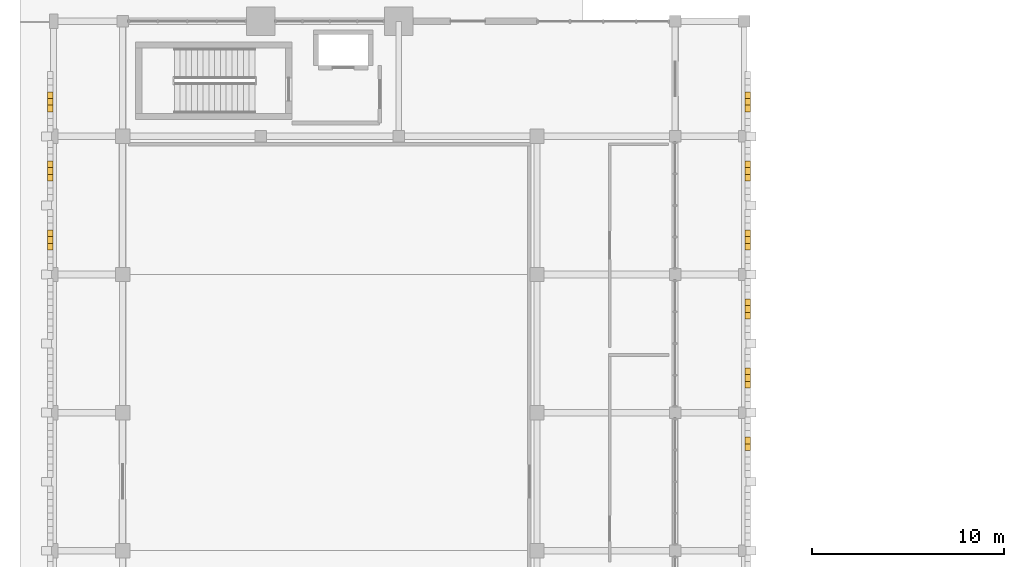
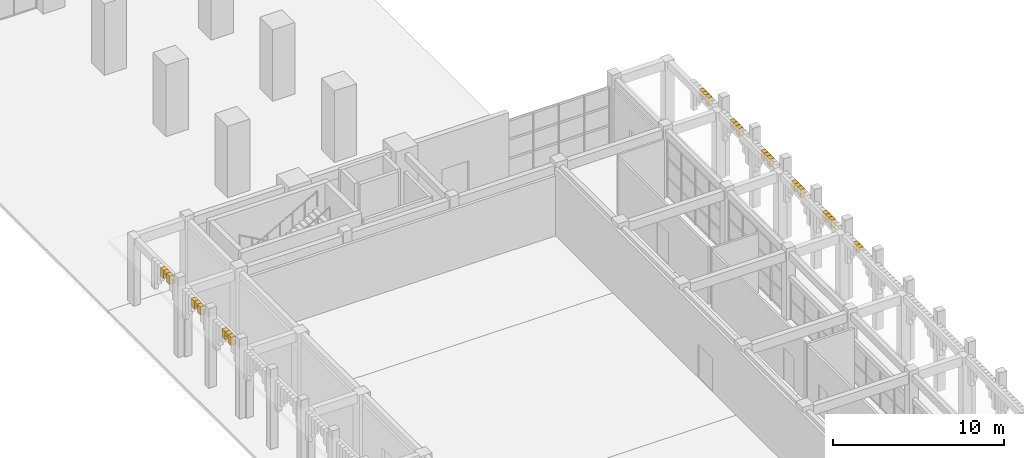
# One storey, part 65 of 72: 26 coverings.
"""IFC4 building model written with IfcOpenShell, lengths in metres."""

from ifc_helpers import new_model, si_unit, direction, frame, origin, origin_2d, place, context, subcontext, project, spatial, rectangle, extrude, material, layer, layer_set, type_object, element, save


model = new_model("IFC4")

# Units and contexts
model_context = context("Model", 3, precision=1e-05, world=origin(), true_north=direction((0.0, 1.0)))
body_context = subcontext(model_context, "Body", "Model", "MODEL_VIEW")
ifc_project = project(units=[si_unit("LENGTHUNIT", "METRE"), si_unit("AREAUNIT", "SQUARE_METRE"), si_unit("VOLUMEUNIT", "CUBIC_METRE"), si_unit("PLANEANGLEUNIT", "RADIAN"), si_unit("MASSUNIT", "GRAM", prefix="KILO")], contexts=[model_context])

# Site, building, storey
site_placement = place(None, origin())
site = spatial("IfcSite", under=ifc_project, at=site_placement, CompositionType="ELEMENT")
building_placement = place(site_placement, origin())
building = spatial("IfcBuilding", under=site, at=building_placement, Name="Nzembalo Square Collegiate School", CompositionType="ELEMENT")
storey_placement = place(building_placement, origin())
storey = spatial("IfcBuildingStorey", under=building, at=storey_placement, Name="L00", CompositionType="ELEMENT", Elevation=0.0)

# Coverings
ifc_material = material(Name="Precast concrete C40/50 arch voussoir", Category="concrete")
ifc_layer = layer(ifc_material, 0.1201171875, Name="Precast concrete C40/50 arch voussoir")
ifc_layer_set = layer_set([ifc_layer], Name="Precast concrete C40/50 arch voussoir")
covering_type = type_object("IfcCoveringType", Name="AR01", PredefinedType="CLADDING", material=ifc_layer_set)
covering_1_placement = place(storey_placement, frame((4.6201171875, 38.64892578125, 4.2109375), z_axis=(0.0, 0.0, 1.0), x_axis=(1.0, 0.0, 0.0)))
element("IfcCovering", 1, at=covering_1_placement, inside=storey, type_object=covering_type, Name="Gothic pointed arch voussoir AR01-010-3", PredefinedType="CLADDING", context=body_context, shape_type="SweptSolid", body=[
    extrude(rectangle(XDim=0.280029296875, YDim=0.35107421875, at=origin_2d()), origin(), (0.0, 0.0, 1.0), 0.589111328125),
])
covering_2_placement = place(storey_placement, frame((4.6201171875, 39.0, 4.579833984375), z_axis=(0.0, 0.0, 1.0), x_axis=(1.0, 0.0, 0.0)))
element("IfcCovering", 2, at=covering_2_placement, inside=storey, type_object=covering_type, Name="Gothic pointed arch voussoir AR01-010-4", PredefinedType="CLADDING", context=body_context, shape_type="SweptSolid", body=[
    extrude(rectangle(XDim=0.280029296875, YDim=0.35107421875, at=origin_2d()), origin(), (0.0, 0.0, 1.0), 0.22021484375),
])
for number, where, z_axis, x_axis, name in (
    (3, (4.6201171875, 39.35107421875, 4.2109375), (0.0, 0.0, 1.0), (1.0, 0.0, 0.0), "Gothic pointed arch voussoir AR01-010-5"),
    (4, (4.6201171875, 42.248779296875, 4.2109375), (0.0, 0.0, 1.0), (1.0, 0.0, 0.0), "Gothic pointed arch voussoir AR01-011-3"),
):
    element("IfcCovering", number, at=place(storey_placement, frame(where, z_axis=z_axis, x_axis=x_axis)), inside=storey, type_object=covering_type, Name=name, PredefinedType="CLADDING", context=body_context, shape_type="SweptSolid", body=[
        extrude(rectangle(XDim=0.280029296875, YDim=0.35107421875, at=origin_2d()), origin(), (0.0, 0.0, 1.0), 0.589111328125),
    ])
covering_3_placement = place(storey_placement, frame((4.6201171875, 42.60009765625, 4.579833984375), z_axis=(0.0, 0.0, 1.0), x_axis=(1.0, 0.0, 0.0)))
element("IfcCovering", 5, at=covering_3_placement, inside=storey, type_object=covering_type, Name="Gothic pointed arch voussoir AR01-011-4", PredefinedType="CLADDING", context=body_context, shape_type="SweptSolid", body=[
    extrude(rectangle(XDim=0.280029296875, YDim=0.35107421875, at=origin_2d()), origin(), (0.0, 0.0, 1.0), 0.22021484375),
])
for number, where, z_axis, x_axis, name in (
    (6, (4.6201171875, 42.951171875, 4.2109375), (0.0, 0.0, 1.0), (1.0, 0.0, 0.0), "Gothic pointed arch voussoir AR01-011-5"),
    (7, (4.6201171875, 45.848876953125, 4.2109375), (0.0, 0.0, 1.0), (1.0, 0.0, 0.0), "Gothic pointed arch voussoir AR01-012-3"),
):
    element("IfcCovering", number, at=place(storey_placement, frame(where, z_axis=z_axis, x_axis=x_axis)), inside=storey, type_object=covering_type, Name=name, PredefinedType="CLADDING", context=body_context, shape_type="SweptSolid", body=[
        extrude(rectangle(XDim=0.280029296875, YDim=0.35107421875, at=origin_2d()), origin(), (0.0, 0.0, 1.0), 0.589111328125),
    ])
covering_4_placement = place(storey_placement, frame((4.6201171875, 46.199951171875, 4.579833984375), z_axis=(0.0, 0.0, 1.0), x_axis=(1.0, 0.0, 0.0)))
element("IfcCovering", 8, at=covering_4_placement, inside=storey, type_object=covering_type, Name="Gothic pointed arch voussoir AR01-012-4", PredefinedType="CLADDING", context=body_context, shape_type="SweptSolid", body=[
    extrude(rectangle(XDim=0.280029296875, YDim=0.35107421875, at=origin_2d()), origin(), (0.0, 0.0, 1.0), 0.22021484375),
])
covering_5_placement = place(storey_placement, frame((4.6201171875, 46.551025390625, 4.2109375), z_axis=(0.0, 0.0, 1.0), x_axis=(1.0, 0.0, 0.0)))
element("IfcCovering", 9, at=covering_5_placement, inside=storey, type_object=covering_type, Name="Gothic pointed arch voussoir AR01-012-5", PredefinedType="CLADDING", context=body_context, shape_type="SweptSolid", body=[
    extrude(rectangle(XDim=0.280029296875, YDim=0.35107421875, at=origin_2d()), origin(), (0.0, 0.0, 1.0), 0.589111328125),
])
covering_6_placement = place(storey_placement, frame((40.97998046875, 28.199951171875, 4.579833984375), z_axis=(0.0, 0.0, 1.0), x_axis=(1.0, 0.0, 0.0)))
element("IfcCovering", 10, at=covering_6_placement, inside=storey, type_object=covering_type, Name="Gothic pointed arch voussoir AR01-036-4", PredefinedType="CLADDING", context=body_context, shape_type="SweptSolid", body=[
    extrude(rectangle(XDim=0.280029296875, YDim=0.35107421875, at=origin_2d()), origin(), (0.0, 0.0, 1.0), 0.22021484375),
])
for number, where, z_axis, x_axis, name in (
    (11, (40.97998046875, 28.551025390625, 4.2109375), (0.0, 0.0, 1.0), (1.0, 0.0, 0.0), "Gothic pointed arch voussoir AR01-036-5"),
    (12, (40.97998046875, 31.448974609375, 4.2109375), (0.0, 0.0, 1.0), (1.0, 0.0, 0.0), "Gothic pointed arch voussoir AR01-037-3"),
):
    element("IfcCovering", number, at=place(storey_placement, frame(where, z_axis=z_axis, x_axis=x_axis)), inside=storey, type_object=covering_type, Name=name, PredefinedType="CLADDING", context=body_context, shape_type="SweptSolid", body=[
        extrude(rectangle(XDim=0.280029296875, YDim=0.35107421875, at=origin_2d()), origin(), (0.0, 0.0, 1.0), 0.589111328125),
    ])
covering_7_placement = place(storey_placement, frame((40.97998046875, 31.800048828125, 4.579833984375), z_axis=(0.0, 0.0, 1.0), x_axis=(1.0, 0.0, 0.0)))
element("IfcCovering", 13, at=covering_7_placement, inside=storey, type_object=covering_type, Name="Gothic pointed arch voussoir AR01-037-4", PredefinedType="CLADDING", context=body_context, shape_type="SweptSolid", body=[
    extrude(rectangle(XDim=0.280029296875, YDim=0.35107421875, at=origin_2d()), origin(), (0.0, 0.0, 1.0), 0.22021484375),
])
for number, where, z_axis, x_axis, name in (
    (14, (40.97998046875, 32.151123046875, 4.2109375), (0.0, 0.0, 1.0), (1.0, 0.0, 0.0), "Gothic pointed arch voussoir AR01-037-5"),
    (15, (40.97998046875, 35.048828125, 4.2109375), (0.0, 0.0, 1.0), (1.0, 0.0, 0.0), "Gothic pointed arch voussoir AR01-038-3"),
):
    element("IfcCovering", number, at=place(storey_placement, frame(where, z_axis=z_axis, x_axis=x_axis)), inside=storey, type_object=covering_type, Name=name, PredefinedType="CLADDING", context=body_context, shape_type="SweptSolid", body=[
        extrude(rectangle(XDim=0.280029296875, YDim=0.35107421875, at=origin_2d()), origin(), (0.0, 0.0, 1.0), 0.589111328125),
    ])
covering_8_placement = place(storey_placement, frame((40.97998046875, 35.39990234375, 4.579833984375), z_axis=(0.0, 0.0, 1.0), x_axis=(1.0, 0.0, 0.0)))
element("IfcCovering", 16, at=covering_8_placement, inside=storey, type_object=covering_type, Name="Gothic pointed arch voussoir AR01-038-4", PredefinedType="CLADDING", context=body_context, shape_type="SweptSolid", body=[
    extrude(rectangle(XDim=0.280029296875, YDim=0.35107421875, at=origin_2d()), origin(), (0.0, 0.0, 1.0), 0.22021484375),
])
for number, where, z_axis, x_axis, name in (
    (17, (40.97998046875, 35.751220703125, 4.2109375), (0.0, 0.0, 1.0), (1.0, 0.0, 0.0), "Gothic pointed arch voussoir AR01-038-5"),
    (18, (40.97998046875, 38.64892578125, 4.2109375), (0.0, 0.0, 1.0), (1.0, 0.0, 0.0), "Gothic pointed arch voussoir AR01-039-3"),
):
    element("IfcCovering", number, at=place(storey_placement, frame(where, z_axis=z_axis, x_axis=x_axis)), inside=storey, type_object=covering_type, Name=name, PredefinedType="CLADDING", context=body_context, shape_type="SweptSolid", body=[
        extrude(rectangle(XDim=0.280029296875, YDim=0.35107421875, at=origin_2d()), origin(), (0.0, 0.0, 1.0), 0.589111328125),
    ])
covering_9_placement = place(storey_placement, frame((40.97998046875, 39.0, 4.579833984375), z_axis=(0.0, 0.0, 1.0), x_axis=(1.0, 0.0, 0.0)))
element("IfcCovering", 19, at=covering_9_placement, inside=storey, type_object=covering_type, Name="Gothic pointed arch voussoir AR01-039-4", PredefinedType="CLADDING", context=body_context, shape_type="SweptSolid", body=[
    extrude(rectangle(XDim=0.280029296875, YDim=0.35107421875, at=origin_2d()), origin(), (0.0, 0.0, 1.0), 0.22021484375),
])
for number, where, z_axis, x_axis, name in (
    (20, (40.97998046875, 39.35107421875, 4.2109375), (0.0, 0.0, 1.0), (1.0, 0.0, 0.0), "Gothic pointed arch voussoir AR01-039-5"),
    (21, (40.97998046875, 42.248779296875, 4.2109375), (0.0, 0.0, 1.0), (1.0, 0.0, 0.0), "Gothic pointed arch voussoir AR01-040-3"),
):
    element("IfcCovering", number, at=place(storey_placement, frame(where, z_axis=z_axis, x_axis=x_axis)), inside=storey, type_object=covering_type, Name=name, PredefinedType="CLADDING", context=body_context, shape_type="SweptSolid", body=[
        extrude(rectangle(XDim=0.280029296875, YDim=0.35107421875, at=origin_2d()), origin(), (0.0, 0.0, 1.0), 0.589111328125),
    ])
covering_10_placement = place(storey_placement, frame((40.97998046875, 42.60009765625, 4.579833984375), z_axis=(0.0, 0.0, 1.0), x_axis=(1.0, 0.0, 0.0)))
element("IfcCovering", 22, at=covering_10_placement, inside=storey, type_object=covering_type, Name="Gothic pointed arch voussoir AR01-040-4", PredefinedType="CLADDING", context=body_context, shape_type="SweptSolid", body=[
    extrude(rectangle(XDim=0.280029296875, YDim=0.35107421875, at=origin_2d()), origin(), (0.0, 0.0, 1.0), 0.22021484375),
])
for number, where, z_axis, x_axis, name in (
    (23, (40.97998046875, 42.951171875, 4.2109375), (0.0, 0.0, 1.0), (1.0, 0.0, 0.0), "Gothic pointed arch voussoir AR01-040-5"),
    (24, (40.97998046875, 45.848876953125, 4.2109375), (0.0, 0.0, 1.0), (1.0, 0.0, 0.0), "Gothic pointed arch voussoir AR01-041-3"),
):
    element("IfcCovering", number, at=place(storey_placement, frame(where, z_axis=z_axis, x_axis=x_axis)), inside=storey, type_object=covering_type, Name=name, PredefinedType="CLADDING", context=body_context, shape_type="SweptSolid", body=[
        extrude(rectangle(XDim=0.280029296875, YDim=0.35107421875, at=origin_2d()), origin(), (0.0, 0.0, 1.0), 0.589111328125),
    ])
covering_11_placement = place(storey_placement, frame((40.97998046875, 46.199951171875, 4.579833984375), z_axis=(0.0, 0.0, 1.0), x_axis=(1.0, 0.0, 0.0)))
element("IfcCovering", 25, at=covering_11_placement, inside=storey, type_object=covering_type, Name="Gothic pointed arch voussoir AR01-041-4", PredefinedType="CLADDING", context=body_context, shape_type="SweptSolid", body=[
    extrude(rectangle(XDim=0.280029296875, YDim=0.35107421875, at=origin_2d()), origin(), (0.0, 0.0, 1.0), 0.22021484375),
])
covering_12_placement = place(storey_placement, frame((40.97998046875, 46.551025390625, 4.2109375), z_axis=(0.0, 0.0, 1.0), x_axis=(1.0, 0.0, 0.0)))
element("IfcCovering", 26, at=covering_12_placement, inside=storey, type_object=covering_type, Name="Gothic pointed arch voussoir AR01-041-5", PredefinedType="CLADDING", context=body_context, shape_type="SweptSolid", body=[
    extrude(rectangle(XDim=0.280029296875, YDim=0.35107421875, at=origin_2d()), origin(), (0.0, 0.0, 1.0), 0.589111328125),
])

save(model, "model.ifc")
